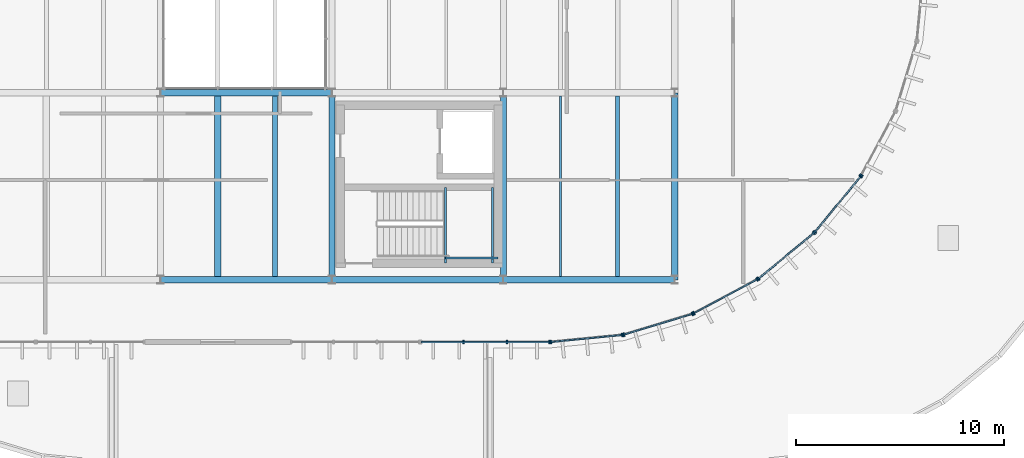
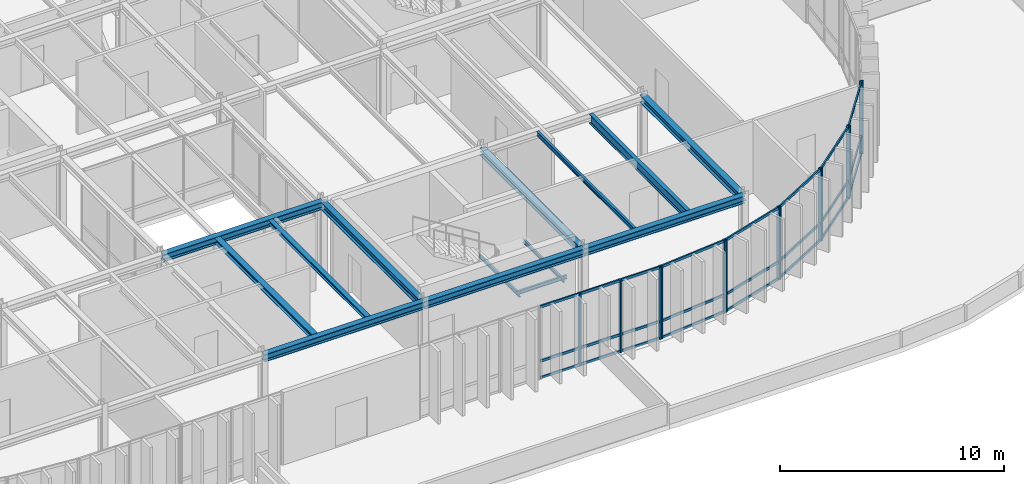
# One storey, part 8 of 29: 32 members, 14 beams, 7 elements without a shape of their own.
"""IFC4 building model written with IfcOpenShell, lengths in metres."""

from ifc_helpers import new_model, si_unit, direction, frame, origin, origin_2d, place, context, subcontext, project, spatial, rectangle, i_section, extrude, material, layer, layer_set, material_profile, profile_set, type_object, element, aggregate, save


model = new_model("IFC4")

# Units and contexts
model_context = context("Model", 3, precision=1e-05, world=origin(), true_north=direction((0.0, 1.0)))
body_context = subcontext(model_context, "Body", "Model", "MODEL_VIEW")
ifc_project = project(units=[si_unit("LENGTHUNIT", "METRE"), si_unit("AREAUNIT", "SQUARE_METRE"), si_unit("VOLUMEUNIT", "CUBIC_METRE"), si_unit("PLANEANGLEUNIT", "RADIAN"), si_unit("MASSUNIT", "GRAM", prefix="KILO")], contexts=[model_context])

# Site, building, storey
site_placement = place(None, origin())
site = spatial("IfcSite", under=ifc_project, at=site_placement, CompositionType="ELEMENT")
building_placement = place(site_placement, origin())
building = spatial("IfcBuilding", under=site, at=building_placement, Name="Montealbar Specialist Clinic", CompositionType="ELEMENT")
storey_placement = place(building_placement, frame((0.0, 0.0, 22.199951171875)))
storey = spatial("IfcBuildingStorey", under=building, at=storey_placement, Name="L05", CompositionType="ELEMENT", Elevation=22.199951171875)

# Beams
ifc_material_1 = material(Name="Steel S355", Category="steel")
ifc_material_profile_1 = material_profile(ifc_material_1, i_section(OverallWidth=0.300048828125, OverallDepth=0.39990234375, WebThickness=0.013427734375, FlangeThickness=0.02392578125, FilletRadius=0.027099609375, at=origin_2d()), Name="HEB 400", Category="steel")
ifc_profile_set_1 = profile_set([ifc_material_profile_1], Name="Steel S355")
beam_type_1 = type_object("IfcBeamType", Name="BM-GIRD-HEB400", PredefinedType="BEAM", material=ifc_profile_set_1)
for number, where, z_axis, x_axis, name in (
    (1, (74.25, 9.0, 3.739990234375), (1.0, 0.0, 0.0), (0.0, 1.0, 0.0), "Beam GX-L05-742-825-90"),
    (2, (82.5, 9.0, 3.739990234375), (1.0, 0.0, 0.0), (0.0, 1.0, 0.0), "Beam GX-L05-825-908-90"),
    (3, (90.75, 9.0, 3.739990234375), (1.0, 0.0, 0.0), (0.0, 1.0, 0.0), "Beam GX-L05-908-990-90"),
    (4, (74.25, 18.0, 3.739990234375), (1.0, 0.0, 0.0), (0.0, 1.0, 0.0), "Beam GX-L05-742-825-180"),
):
    element("IfcBeam", number, at=place(storey_placement, frame(where, z_axis=z_axis, x_axis=x_axis)), inside=storey, type_object=beam_type_1, Name=name, PredefinedType="BEAM", context=body_context, shape_type="SweptSolid", body=[
        extrude(i_section(OverallWidth=0.300048828125, OverallDepth=0.39990234375, WebThickness=0.013427734375, FlangeThickness=0.02392578125, FilletRadius=0.027099609375, at=origin_2d()), origin(), (0.0, 0.0, 1.0), 8.25),
    ])
for number, where, z_axis, x_axis, name in (
    (5, (82.5, 9.0, 3.739990234375), (0.0, 1.0, 0.0), (-1.0, 0.0, 0.0), "Beam GY-L05-825-90-180"),
    (6, (90.75, 9.0, 3.739990234375), (0.0, 1.0, 0.0), (-1.0, 0.0, 0.0), "Beam GY-L05-908-90-180"),
    (7, (99.0, 9.0, 3.739990234375), (0.0, 1.0, 0.0), (-1.0, 0.0, 0.0), "Beam GY-L05-990-90-180"),
):
    element("IfcBeam", number, at=place(storey_placement, frame(where, z_axis=z_axis, x_axis=x_axis)), inside=storey, type_object=beam_type_1, Name=name, PredefinedType="BEAM", context=body_context, shape_type="SweptSolid", body=[
        extrude(i_section(OverallWidth=0.300048828125, OverallDepth=0.39990234375, WebThickness=0.013427734375, FlangeThickness=0.02392578125, FilletRadius=0.027099609375, at=origin_2d()), origin(), (0.0, 0.0, 1.0), 9.0),
    ])
ifc_material_profile_2 = material_profile(ifc_material_1, i_section(OverallWidth=0.1201171875, OverallDepth=0.239990234375, WebThickness=0.006103515625, FlangeThickness=0.009765625, FilletRadius=0.014892578125, at=origin_2d()), Name="IPE 240", Category="steel")
ifc_profile_set_2 = profile_set([ifc_material_profile_2], Name="Steel S355")
beam_type_2 = type_object("IfcBeamType", Name="BM-JST-IPE240", PredefinedType="JOIST", material=ifc_profile_set_2)
beam_1_placement = place(storey_placement, frame((93.5, 9.14990234375, 3.820068359375), z_axis=(0.0, 1.0, 0.0), x_axis=(-1.0, 0.0, 0.0)))
element("IfcBeam", 8, at=beam_1_placement, inside=storey, type_object=beam_type_2, Name="Beam JST-L05-935-92-178", PredefinedType="JOIST", context=body_context, shape_type="SweptSolid", body=[
    extrude(i_section(OverallWidth=0.1201171875, OverallDepth=0.239990234375, WebThickness=0.006103515625, FlangeThickness=0.009765625, FilletRadius=0.014892578125, at=origin_2d()), origin(), (0.0, 0.0, 1.0), 8.7001953125),
])
ifc_material_profile_3 = material_profile(ifc_material_1, i_section(OverallWidth=0.199951171875, OverallDepth=0.5, WebThickness=0.01025390625, FlangeThickness=0.01611328125, FilletRadius=0.02099609375, at=origin_2d()), Name="IPE 500", Category="steel")
ifc_profile_set_3 = profile_set([ifc_material_profile_3], Name="Steel S355")
beam_type_3 = type_object("IfcBeamType", Name="BM-JST-IPE500", PredefinedType="JOIST", material=ifc_profile_set_3)
beam_2_placement = place(storey_placement, frame((96.25, 9.14990234375, 3.68994140625), z_axis=(0.0, 1.0, 0.0), x_axis=(-1.0, 0.0, 0.0)))
element("IfcBeam", 9, at=beam_2_placement, inside=storey, type_object=beam_type_3, Name="Beam JST-L05-962-92-178", PredefinedType="JOIST", context=body_context, shape_type="SweptSolid", body=[
    extrude(i_section(OverallWidth=0.199951171875, OverallDepth=0.5, WebThickness=0.01025390625, FlangeThickness=0.01611328125, FilletRadius=0.02099609375, at=origin_2d()), origin(), (0.0, 0.0, 1.0), 8.7001953125),
])
ifc_material_profile_4 = material_profile(ifc_material_1, i_section(OverallWidth=0.10009765625, OverallDepth=0.199951171875, WebThickness=0.005615234375, FlangeThickness=0.008544921875, FilletRadius=0.011962890625, at=origin_2d()), Name="IPE 200", Category="steel")
ifc_profile_set_4 = profile_set([ifc_material_profile_4], Name="Steel S355")
beam_type_4 = type_object("IfcBeamType", Name="BM-LINT-IPE200", PredefinedType="LINTEL", material=ifc_profile_set_4)
for number, where, z_axis, x_axis, name in (
    (10, (87.955078125, 9.800048828125, 1.800048828125), (0.0, 1.0, 0.0), (-1.0, 0.0, 0.0), "Core C4 Stair Landing Beam L05 W"),
    (11, (90.22998046875, 9.800048828125, 1.800048828125), (0.0, 1.0, 0.0), (-1.0, 0.0, 0.0), "Core C4 Stair Landing Beam L05 E"),
):
    element("IfcBeam", number, at=place(storey_placement, frame(where, z_axis=z_axis, x_axis=x_axis)), inside=storey, type_object=beam_type_4, Name=name, PredefinedType="LINTEL", context=body_context, shape_type="SweptSolid", body=[
        extrude(i_section(OverallWidth=0.10009765625, OverallDepth=0.199951171875, WebThickness=0.005615234375, FlangeThickness=0.008544921875, FilletRadius=0.011962890625, at=origin_2d()), origin(), (0.0, 0.0, 1.0), 3.64990234375),
    ])
beam_3_placement = place(storey_placement, frame((87.955078125, 10.050048828125, 1.800048828125), z_axis=(1.0, 0.0, 0.0), x_axis=(0.0, 1.0, 0.0)))
element("IfcBeam", 12, at=beam_3_placement, inside=storey, type_object=beam_type_4, Name="Core C4 Stair Landing Tie Beam L05", PredefinedType="LINTEL", context=body_context, shape_type="SweptSolid", body=[
    extrude(i_section(OverallWidth=0.10009765625, OverallDepth=0.199951171875, WebThickness=0.005615234375, FlangeThickness=0.008544921875, FilletRadius=0.011962890625, at=origin_2d()), origin(), (0.0, 0.0, 1.0), 2.544921875),
])
ifc_material_profile_5 = material_profile(ifc_material_1, i_section(OverallWidth=0.239990234375, OverallDepth=0.22998046875, WebThickness=0.007568359375, FlangeThickness=0.011962890625, FilletRadius=0.02099609375, at=origin_2d()), Name="HEA 240", Category="steel")
ifc_profile_set_5 = profile_set([ifc_material_profile_5], Name="Steel S355")
beam_type_5 = type_object("IfcBeamType", Name="BM-SPAND-HEA240", PredefinedType="SPANDREL", material=ifc_profile_set_5)
beam_4_placement = place(storey_placement, frame((79.75, 9.14990234375, 3.824951171875), z_axis=(0.0, 1.0, 0.0), x_axis=(-1.0, 0.0, 0.0)))
element("IfcBeam", 13, at=beam_4_placement, inside=storey, type_object=beam_type_5, Name="Beam JST-L05-798-92-178", PredefinedType="SPANDREL", context=body_context, shape_type="SweptSolid", body=[
    extrude(i_section(OverallWidth=0.239990234375, OverallDepth=0.22998046875, WebThickness=0.007568359375, FlangeThickness=0.011962890625, FilletRadius=0.02099609375, at=origin_2d()), origin(), (0.0, 0.0, 1.0), 8.7001953125),
])
ifc_material_profile_6 = material_profile(ifc_material_1, i_section(OverallWidth=0.300048828125, OverallDepth=0.2900390625, WebThickness=0.008544921875, FlangeThickness=0.013916015625, FilletRadius=0.027099609375, at=origin_2d()), Name="HEA 300", Category="steel")
ifc_profile_set_6 = profile_set([ifc_material_profile_6], Name="Steel S355")
beam_type_6 = type_object("IfcBeamType", Name="BM-SPAND-HEA300", PredefinedType="SPANDREL", material=ifc_profile_set_6)
beam_5_placement = place(storey_placement, frame((77.0, 9.14990234375, 3.795166015625), z_axis=(0.0, 1.0, 0.0), x_axis=(-1.0, 0.0, 0.0)))
element("IfcBeam", 14, at=beam_5_placement, inside=storey, type_object=beam_type_6, Name="Beam JST-L05-770-92-178", PredefinedType="SPANDREL", context=body_context, shape_type="SweptSolid", body=[
    extrude(i_section(OverallWidth=0.300048828125, OverallDepth=0.2900390625, WebThickness=0.008544921875, FlangeThickness=0.013916015625, FilletRadius=0.027099609375, at=origin_2d()), origin(), (0.0, 0.0, 1.0), 8.7001953125),
])

# Curtain wall, member
ifc_material_2 = material(Name="Low-E double glazing", Category="glass")
ifc_layer_1 = layer(ifc_material_2, 0.199951171875, Name="Low-E double glazing", Category="glass")
ifc_layer_set_1 = layer_set([ifc_layer_1], Name="Low-E double glazing")
curtain_wall_type_1 = type_object("IfcCurtainWallType", Name="CW-TYPE-19", PredefinedType="NOTDEFINED", material=ifc_layer_set_1)
curtain_wall_1_placement = place(storey_placement, origin())
curtain_wall_1 = element("IfcCurtainWall", 15, at=curtain_wall_1_placement, inside=storey, type_object=curtain_wall_type_1, Name="Unitised Curtain Wall CW-L05-1096-171-1080-140-222", PredefinedType="NOTDEFINED")
ifc_material_3 = material(Name="Anodised aluminium EN AW-6063", Category="aluminium")
ifc_material_profile_7 = material_profile(ifc_material_3, rectangle(XDim=0.070068359375, YDim=0.179931640625, at=origin_2d()), Name="ALU 70x180", Category="aluminium")
ifc_profile_set_7 = profile_set([ifc_material_profile_7], Name="Anodised aluminium EN AW-6063")
member_type_1 = type_object("IfcMemberType", Name="CW-MUL-200", PredefinedType="MULLION", material=ifc_profile_set_7)
member_1_placement = place(storey_placement, frame((107.985107421875, 14.034912109375, 0.0), z_axis=(0.0, 0.0, 1.0), x_axis=(-0.471529268958, -0.881850411644, 0.0)))
member_1 = element("IfcMember", 16, at=member_1_placement, type_object=member_type_1, Name="Curtain Wall Mullion CW-L05-1096-171-1080-140-222-01", PredefinedType="MULLION", context=body_context, shape_type="SweptSolid", body=[
    extrude(rectangle(XDim=0.070068359375, YDim=0.179931640625, at=origin_2d()), origin(), (0.0, 0.0, 1.0), 3.93994140625),
])
aggregate(curtain_wall_1, [member_1])

# Curtain wall, members
curtain_wall_2_placement = place(storey_placement, origin())
curtain_wall_2 = element("IfcCurtainWall", 17, at=curtain_wall_2_placement, inside=storey, type_object=curtain_wall_type_1, Name="Unitised Curtain Wall CW-L05-1080-140-1057-113-222", PredefinedType="NOTDEFINED")
member_2_placement = place(storey_placement, frame((107.94091796875, 13.968994140625, 0.0), z_axis=(0.0, 0.0, 1.0), x_axis=(-0.634255808922, -0.773123255923, 0.0)))
member_2 = element("IfcMember", 18, at=member_2_placement, type_object=member_type_1, Name="Curtain Wall Mullion CW-L05-1080-140-1057-113-222-00", PredefinedType="MULLION", context=body_context, shape_type="SweptSolid", body=[
    extrude(rectangle(XDim=0.070068359375, YDim=0.179931640625, at=origin_2d()), origin(), (0.0, 0.0, 1.0), 3.93994140625),
])
member_3_placement = place(storey_placement, frame((105.7529296875, 11.302978515625, 0.0), z_axis=(0.0, 0.0, 1.0), x_axis=(-0.634255808922, -0.773123255923, 0.0)))
member_3 = element("IfcMember", 19, at=member_3_placement, type_object=member_type_1, Name="Curtain Wall Mullion CW-L05-1080-140-1057-113-222-01", PredefinedType="MULLION", context=body_context, shape_type="SweptSolid", body=[
    extrude(rectangle(XDim=0.070068359375, YDim=0.179931640625, at=origin_2d()), origin(), (0.0, 0.0, 1.0), 3.93994140625),
])

curtain_wall_3_placement = place(storey_placement, origin())
curtain_wall_3 = element("IfcCurtainWall", 20, at=curtain_wall_3_placement, inside=storey, type_object=curtain_wall_type_1, Name="Unitised Curtain Wall CW-L05-1057-113-1030-90-222", PredefinedType="NOTDEFINED")
member_4_placement = place(storey_placement, frame((105.697021484375, 11.2470703125, 0.0), z_axis=(0.0, 0.0, 1.0), x_axis=(-0.773123255923, -0.634255808922, 0.0)))
member_4 = element("IfcMember", 21, at=member_4_placement, type_object=member_type_1, Name="Curtain Wall Mullion CW-L05-1057-113-1030-90-222-00", PredefinedType="MULLION", context=body_context, shape_type="SweptSolid", body=[
    extrude(rectangle(XDim=0.070068359375, YDim=0.179931640625, at=origin_2d()), origin(), (0.0, 0.0, 1.0), 3.93994140625),
])
member_5_placement = place(storey_placement, frame((103.031005859375, 9.05908203125, 0.0), z_axis=(0.0, 0.0, 1.0), x_axis=(-0.773123255923, -0.634255808922, 0.0)))
member_5 = element("IfcMember", 22, at=member_5_placement, type_object=member_type_1, Name="Curtain Wall Mullion CW-L05-1057-113-1030-90-222-01", PredefinedType="MULLION", context=body_context, shape_type="SweptSolid", body=[
    extrude(rectangle(XDim=0.070068359375, YDim=0.179931640625, at=origin_2d()), origin(), (0.0, 0.0, 1.0), 3.93994140625),
])

curtain_wall_4_placement = place(storey_placement, origin())
curtain_wall_4 = element("IfcCurtainWall", 23, at=curtain_wall_4_placement, inside=storey, type_object=curtain_wall_type_1, Name="Unitised Curtain Wall CW-L05-1030-90-999-74-222", PredefinedType="NOTDEFINED")
member_6_placement = place(storey_placement, frame((102.965087890625, 9.014892578125, 0.0), z_axis=(0.0, 0.0, 1.0), x_axis=(-0.881850411644, -0.471529268958, 0.0)))
member_6 = element("IfcMember", 24, at=member_6_placement, type_object=member_type_1, Name="Curtain Wall Mullion CW-L05-1030-90-999-74-222-00", PredefinedType="MULLION", context=body_context, shape_type="SweptSolid", body=[
    extrude(rectangle(XDim=0.070068359375, YDim=0.179931640625, at=origin_2d()), origin(), (0.0, 0.0, 1.0), 3.93994140625),
])
member_7_placement = place(storey_placement, frame((99.923095703125, 7.388916015625, 0.0), z_axis=(0.0, 0.0, 1.0), x_axis=(-0.881850411644, -0.471529268958, 0.0)))
member_7 = element("IfcMember", 25, at=member_7_placement, type_object=member_type_1, Name="Curtain Wall Mullion CW-L05-1030-90-999-74-222-01", PredefinedType="MULLION", context=body_context, shape_type="SweptSolid", body=[
    extrude(rectangle(XDim=0.070068359375, YDim=0.179931640625, at=origin_2d()), origin(), (0.0, 0.0, 1.0), 3.93994140625),
])

curtain_wall_5_placement = place(storey_placement, origin())
curtain_wall_5 = element("IfcCurtainWall", 26, at=curtain_wall_5_placement, inside=storey, type_object=curtain_wall_type_1, Name="Unitised Curtain Wall CW-L05-999-74-965-63-222", PredefinedType="NOTDEFINED")
member_8_placement = place(storey_placement, frame((99.85009765625, 7.35791015625, 0.0), z_axis=(0.0, 0.0, 1.0), x_axis=(-0.956948083701, -0.290259134399, 0.0)))
member_8 = element("IfcMember", 27, at=member_8_placement, type_object=member_type_1, Name="Curtain Wall Mullion CW-L05-999-74-965-63-222-00", PredefinedType="MULLION", context=body_context, shape_type="SweptSolid", body=[
    extrude(rectangle(XDim=0.070068359375, YDim=0.179931640625, at=origin_2d()), origin(), (0.0, 0.0, 1.0), 3.93994140625),
])
member_9_placement = place(storey_placement, frame((96.550048828125, 6.35791015625, 0.0), z_axis=(0.0, 0.0, 1.0), x_axis=(-0.956948083701, -0.290259134399, 0.0)))
member_9 = element("IfcMember", 28, at=member_9_placement, type_object=member_type_1, Name="Curtain Wall Mullion CW-L05-999-74-965-63-222-01", PredefinedType="MULLION", context=body_context, shape_type="SweptSolid", body=[
    extrude(rectangle(XDim=0.070068359375, YDim=0.179931640625, at=origin_2d()), origin(), (0.0, 0.0, 1.0), 3.93994140625),
])

curtain_wall_6_placement = place(storey_placement, origin())
curtain_wall_6 = element("IfcCurtainWall", 29, at=curtain_wall_6_placement, inside=storey, type_object=curtain_wall_type_1, Name="Unitised Curtain Wall CW-L05-965-63-930-60-222", PredefinedType="NOTDEFINED")
member_10_placement = place(storey_placement, frame((96.471923828125, 6.342041015625, 0.0), z_axis=(0.0, 0.0, 1.0), x_axis=(-0.995182012183, -0.098044697094, 0.0)))
member_10 = element("IfcMember", 30, at=member_10_placement, type_object=member_type_1, Name="Curtain Wall Mullion CW-L05-965-63-930-60-222-00", PredefinedType="MULLION", context=body_context, shape_type="SweptSolid", body=[
    extrude(rectangle(XDim=0.070068359375, YDim=0.179931640625, at=origin_2d()), origin(), (0.0, 0.0, 1.0), 3.93994140625),
])
member_11_placement = place(storey_placement, frame((93.0400390625, 6.00390625, 0.0), z_axis=(0.0, 0.0, 1.0), x_axis=(-0.995182012183, -0.098044697094, 0.0)))
member_11 = element("IfcMember", 31, at=member_11_placement, type_object=member_type_1, Name="Curtain Wall Mullion CW-L05-965-63-930-60-222-01", PredefinedType="MULLION", context=body_context, shape_type="SweptSolid", body=[
    extrude(rectangle(XDim=0.070068359375, YDim=0.179931640625, at=origin_2d()), origin(), (0.0, 0.0, 1.0), 3.93994140625),
])

ifc_layer_2 = layer(ifc_material_2, 0.199951171875, Name="Low-E double glazing", Category="glass")
ifc_layer_set_2 = layer_set([ifc_layer_2], Name="Low-E double glazing")
curtain_wall_type_2 = type_object("IfcCurtainWallType", Name="CW-TYPE-40", PredefinedType="NOTDEFINED", material=ifc_layer_set_2)
curtain_wall_7_placement = place(storey_placement, origin())
curtain_wall_7 = element("IfcCurtainWall", 32, at=curtain_wall_7_placement, inside=storey, type_object=curtain_wall_type_2, Name="Unitised Curtain Wall CW-L05-868-60-930-60-222", PredefinedType="NOTDEFINED")
member_12_placement = place(storey_placement, frame((88.8330078125, 6.0, 0.0), z_axis=(0.0, 0.0, 1.0), x_axis=(1.0, 0.0, 0.0)))
member_12 = element("IfcMember", 33, at=member_12_placement, type_object=member_type_1, Name="Curtain Wall Mullion CW-L05-868-60-930-60-222-01", PredefinedType="MULLION", context=body_context, shape_type="SweptSolid", body=[
    extrude(rectangle(XDim=0.070068359375, YDim=0.179931640625, at=origin_2d()), origin(), (0.0, 0.0, 1.0), 3.93994140625),
])
member_13_placement = place(storey_placement, frame((90.9169921875, 6.0, 0.0), z_axis=(0.0, 0.0, 1.0), x_axis=(1.0, 0.0, 0.0)))
member_13 = element("IfcMember", 34, at=member_13_placement, type_object=member_type_1, Name="Curtain Wall Mullion CW-L05-868-60-930-60-222-02", PredefinedType="MULLION", context=body_context, shape_type="SweptSolid", body=[
    extrude(rectangle(XDim=0.070068359375, YDim=0.179931640625, at=origin_2d()), origin(), (0.0, 0.0, 1.0), 3.93994140625),
])
member_14_placement = place(storey_placement, frame((92.9599609375, 6.0, 0.0), z_axis=(0.0, 0.0, 1.0), x_axis=(1.0, 0.0, 0.0)))
member_14 = element("IfcMember", 35, at=member_14_placement, type_object=member_type_1, Name="Curtain Wall Mullion CW-L05-868-60-930-60-222-03", PredefinedType="MULLION", context=body_context, shape_type="SweptSolid", body=[
    extrude(rectangle(XDim=0.070068359375, YDim=0.179931640625, at=origin_2d()), origin(), (0.0, 0.0, 1.0), 3.93994140625),
])

# Member
ifc_material_4 = material(Name="Powder-coated aluminium", Category="aluminium")
ifc_material_profile_8 = material_profile(ifc_material_4, rectangle(XDim=0.070068359375, YDim=0.139892578125, at=origin_2d()), Name="ALU 70x140", Category="aluminium")
ifc_profile_set_8 = profile_set([ifc_material_profile_8], Name="Powder-coated aluminium")
member_type_2 = type_object("IfcMemberType", Name="CW-TRN-140", PredefinedType="USERDEFINED", material=ifc_profile_set_8)
member_15_placement = place(storey_placement, frame((107.93408203125, 13.9609375, 0.0400390625), z_axis=(-0.634280591441, -0.773102924144, 0.0), x_axis=(0.773102924144, -0.634280591441, 0.0)))
member_15 = element("IfcMember", 36, at=member_15_placement, type_object=member_type_2, Name="Curtain Wall Transom CW-L05-1080-140-1057-113-222-00", ObjectType="TRANSOM", PredefinedType="USERDEFINED", context=body_context, shape_type="SweptSolid", body=[
    extrude(rectangle(XDim=0.070068359375, YDim=0.139892578125, at=origin_2d()), origin(), (0.0, 0.0, 1.0), 3.427734375),
])

member_16_placement = place(storey_placement, frame((107.93408203125, 13.9609375, 0.949951171875), z_axis=(-0.634280591441, -0.773102924144, 0.0), x_axis=(0.773102924144, -0.634280591441, 0.0)))
member_16 = element("IfcMember", 37, at=member_16_placement, type_object=member_type_2, Name="Curtain Wall Transom CW-L05-1080-140-1057-113-222-01", ObjectType="TRANSOM", PredefinedType="USERDEFINED", context=body_context, shape_type="SweptSolid", body=[
    extrude(rectangle(XDim=0.070068359375, YDim=0.139892578125, at=origin_2d()), origin(), (0.0, 0.0, 1.0), 3.427734375),
])

member_17_placement = place(storey_placement, frame((107.93408203125, 13.9609375, 3.900146484375), z_axis=(-0.634280591441, -0.773102924144, 0.0), x_axis=(0.773102924144, -0.634280591441, 0.0)))
member_17 = element("IfcMember", 38, at=member_17_placement, type_object=member_type_2, Name="Curtain Wall Transom CW-L05-1080-140-1057-113-222-02", ObjectType="TRANSOM", PredefinedType="USERDEFINED", context=body_context, shape_type="SweptSolid", body=[
    extrude(rectangle(XDim=0.070068359375, YDim=0.139892578125, at=origin_2d()), origin(), (0.0, 0.0, 1.0), 3.427734375),
])

aggregate(curtain_wall_2, [member_2, member_3, member_15, member_16, member_17])

member_18_placement = place(storey_placement, frame((105.68896484375, 11.239990234375, 0.0400390625), z_axis=(-0.773102924144, -0.634280591441, 0.0), x_axis=(0.634280591441, -0.773102924144, 0.0)))
member_18 = element("IfcMember", 39, at=member_18_placement, type_object=member_type_2, Name="Curtain Wall Transom CW-L05-1057-113-1030-90-222-00", ObjectType="TRANSOM", PredefinedType="USERDEFINED", context=body_context, shape_type="SweptSolid", body=[
    extrude(rectangle(XDim=0.070068359375, YDim=0.139892578125, at=origin_2d()), origin(), (0.0, 0.0, 1.0), 3.427734375),
])

member_19_placement = place(storey_placement, frame((105.68896484375, 11.239990234375, 0.949951171875), z_axis=(-0.773102924144, -0.634280591441, 0.0), x_axis=(0.634280591441, -0.773102924144, 0.0)))
member_19 = element("IfcMember", 40, at=member_19_placement, type_object=member_type_2, Name="Curtain Wall Transom CW-L05-1057-113-1030-90-222-01", ObjectType="TRANSOM", PredefinedType="USERDEFINED", context=body_context, shape_type="SweptSolid", body=[
    extrude(rectangle(XDim=0.070068359375, YDim=0.139892578125, at=origin_2d()), origin(), (0.0, 0.0, 1.0), 3.427734375),
])

member_20_placement = place(storey_placement, frame((105.68896484375, 11.239990234375, 3.900146484375), z_axis=(-0.773102924144, -0.634280591441, 0.0), x_axis=(0.634280591441, -0.773102924144, 0.0)))
member_20 = element("IfcMember", 41, at=member_20_placement, type_object=member_type_2, Name="Curtain Wall Transom CW-L05-1057-113-1030-90-222-02", ObjectType="TRANSOM", PredefinedType="USERDEFINED", context=body_context, shape_type="SweptSolid", body=[
    extrude(rectangle(XDim=0.070068359375, YDim=0.139892578125, at=origin_2d()), origin(), (0.0, 0.0, 1.0), 3.427734375),
])

aggregate(curtain_wall_3, [member_4, member_5, member_18, member_19, member_20])

member_21_placement = place(storey_placement, frame((102.9560546875, 9.010009765625, 0.0400390625), z_axis=(-0.881980147273, -0.471286558069, 0.0), x_axis=(0.471286558069, -0.881980147273, 0.0)))
member_21 = element("IfcMember", 42, at=member_21_placement, type_object=member_type_2, Name="Curtain Wall Transom CW-L05-1030-90-999-74-222-00", ObjectType="TRANSOM", PredefinedType="USERDEFINED", context=body_context, shape_type="SweptSolid", body=[
    extrude(rectangle(XDim=0.070068359375, YDim=0.139892578125, at=origin_2d()), origin(), (0.0, 0.0, 1.0), 3.428955078125),
])

member_22_placement = place(storey_placement, frame((102.9560546875, 9.010009765625, 0.949951171875), z_axis=(-0.881980147273, -0.471286558069, 0.0), x_axis=(0.471286558069, -0.881980147273, 0.0)))
member_22 = element("IfcMember", 43, at=member_22_placement, type_object=member_type_2, Name="Curtain Wall Transom CW-L05-1030-90-999-74-222-01", ObjectType="TRANSOM", PredefinedType="USERDEFINED", context=body_context, shape_type="SweptSolid", body=[
    extrude(rectangle(XDim=0.070068359375, YDim=0.139892578125, at=origin_2d()), origin(), (0.0, 0.0, 1.0), 3.428955078125),
])

member_23_placement = place(storey_placement, frame((102.9560546875, 9.010009765625, 3.900146484375), z_axis=(-0.881980147273, -0.471286558069, 0.0), x_axis=(0.471286558069, -0.881980147273, 0.0)))
member_23 = element("IfcMember", 44, at=member_23_placement, type_object=member_type_2, Name="Curtain Wall Transom CW-L05-1030-90-999-74-222-02", ObjectType="TRANSOM", PredefinedType="USERDEFINED", context=body_context, shape_type="SweptSolid", body=[
    extrude(rectangle(XDim=0.070068359375, YDim=0.139892578125, at=origin_2d()), origin(), (0.0, 0.0, 1.0), 3.428955078125),
])

aggregate(curtain_wall_4, [member_6, member_7, member_21, member_22, member_23])

member_24_placement = place(storey_placement, frame((99.840087890625, 7.35498046875, 0.0400390625), z_axis=(-0.957028598092, -0.289993555849, 0.0), x_axis=(0.289993555849, -0.957028598092, 0.0)))
member_24 = element("IfcMember", 45, at=member_24_placement, type_object=member_type_2, Name="Curtain Wall Transom CW-L05-999-74-965-63-222-00", ObjectType="TRANSOM", PredefinedType="USERDEFINED", context=body_context, shape_type="SweptSolid", body=[
    extrude(rectangle(XDim=0.070068359375, YDim=0.139892578125, at=origin_2d()), origin(), (0.0, 0.0, 1.0), 3.42724609375),
])

member_25_placement = place(storey_placement, frame((99.840087890625, 7.35498046875, 0.949951171875), z_axis=(-0.957028598092, -0.289993555849, 0.0), x_axis=(0.289993555849, -0.957028598092, 0.0)))
member_25 = element("IfcMember", 46, at=member_25_placement, type_object=member_type_2, Name="Curtain Wall Transom CW-L05-999-74-965-63-222-01", ObjectType="TRANSOM", PredefinedType="USERDEFINED", context=body_context, shape_type="SweptSolid", body=[
    extrude(rectangle(XDim=0.070068359375, YDim=0.139892578125, at=origin_2d()), origin(), (0.0, 0.0, 1.0), 3.42724609375),
])

member_26_placement = place(storey_placement, frame((99.840087890625, 7.35498046875, 3.900146484375), z_axis=(-0.957028598092, -0.289993555849, 0.0), x_axis=(0.289993555849, -0.957028598092, 0.0)))
member_26 = element("IfcMember", 47, at=member_26_placement, type_object=member_type_2, Name="Curtain Wall Transom CW-L05-999-74-965-63-222-02", ObjectType="TRANSOM", PredefinedType="USERDEFINED", context=body_context, shape_type="SweptSolid", body=[
    extrude(rectangle(XDim=0.070068359375, YDim=0.139892578125, at=origin_2d()), origin(), (0.0, 0.0, 1.0), 3.42724609375),
])

aggregate(curtain_wall_5, [member_8, member_9, member_24, member_25, member_26])

member_27_placement = place(storey_placement, frame((96.4619140625, 6.341064453125, 0.0400390625), z_axis=(-0.995180678623, -0.098058232162, 0.0), x_axis=(0.098058232162, -0.995180678623, 0.0)))
member_27 = element("IfcMember", 48, at=member_27_placement, type_object=member_type_2, Name="Curtain Wall Transom CW-L05-965-63-930-60-222-00", ObjectType="TRANSOM", PredefinedType="USERDEFINED", context=body_context, shape_type="SweptSolid", body=[
    extrude(rectangle(XDim=0.070068359375, YDim=0.139892578125, at=origin_2d()), origin(), (0.0, 0.0, 1.0), 3.428466796875),
])

member_28_placement = place(storey_placement, frame((96.4619140625, 6.341064453125, 0.949951171875), z_axis=(-0.995180678623, -0.098058232162, 0.0), x_axis=(0.098058232162, -0.995180678623, 0.0)))
member_28 = element("IfcMember", 49, at=member_28_placement, type_object=member_type_2, Name="Curtain Wall Transom CW-L05-965-63-930-60-222-01", ObjectType="TRANSOM", PredefinedType="USERDEFINED", context=body_context, shape_type="SweptSolid", body=[
    extrude(rectangle(XDim=0.070068359375, YDim=0.139892578125, at=origin_2d()), origin(), (0.0, 0.0, 1.0), 3.428466796875),
])

member_29_placement = place(storey_placement, frame((96.4619140625, 6.341064453125, 3.900146484375), z_axis=(-0.995180678623, -0.098058232162, 0.0), x_axis=(0.098058232162, -0.995180678623, 0.0)))
member_29 = element("IfcMember", 50, at=member_29_placement, type_object=member_type_2, Name="Curtain Wall Transom CW-L05-965-63-930-60-222-02", ObjectType="TRANSOM", PredefinedType="USERDEFINED", context=body_context, shape_type="SweptSolid", body=[
    extrude(rectangle(XDim=0.070068359375, YDim=0.139892578125, at=origin_2d()), origin(), (0.0, 0.0, 1.0), 3.428466796875),
])

aggregate(curtain_wall_6, [member_10, member_11, member_27, member_28, member_29])

member_30_placement = place(storey_placement, frame((86.800048828125, 6.0, 0.0400390625), z_axis=(1.0, 0.0, 0.0), x_axis=(0.0, 1.0, 0.0)))
member_30 = element("IfcMember", 51, at=member_30_placement, type_object=member_type_2, Name="Curtain Wall Transom CW-L05-868-60-930-60-222-00", ObjectType="TRANSOM", PredefinedType="USERDEFINED", context=body_context, shape_type="SweptSolid", body=[
    extrude(rectangle(XDim=0.070068359375, YDim=0.139892578125, at=origin_2d()), origin(), (0.0, 0.0, 1.0), 6.14990234375),
])

member_31_placement = place(storey_placement, frame((86.800048828125, 6.0, 0.949951171875), z_axis=(1.0, 0.0, 0.0), x_axis=(0.0, 1.0, 0.0)))
member_31 = element("IfcMember", 52, at=member_31_placement, type_object=member_type_2, Name="Curtain Wall Transom CW-L05-868-60-930-60-222-01", ObjectType="TRANSOM", PredefinedType="USERDEFINED", context=body_context, shape_type="SweptSolid", body=[
    extrude(rectangle(XDim=0.070068359375, YDim=0.139892578125, at=origin_2d()), origin(), (0.0, 0.0, 1.0), 6.14990234375),
])

member_32_placement = place(storey_placement, frame((86.800048828125, 6.0, 3.900146484375), z_axis=(1.0, 0.0, 0.0), x_axis=(0.0, 1.0, 0.0)))
member_32 = element("IfcMember", 53, at=member_32_placement, type_object=member_type_2, Name="Curtain Wall Transom CW-L05-868-60-930-60-222-02", ObjectType="TRANSOM", PredefinedType="USERDEFINED", context=body_context, shape_type="SweptSolid", body=[
    extrude(rectangle(XDim=0.070068359375, YDim=0.139892578125, at=origin_2d()), origin(), (0.0, 0.0, 1.0), 6.14990234375),
])

aggregate(curtain_wall_7, [member_12, member_13, member_14, member_30, member_31, member_32])

save(model, "model.ifc")
